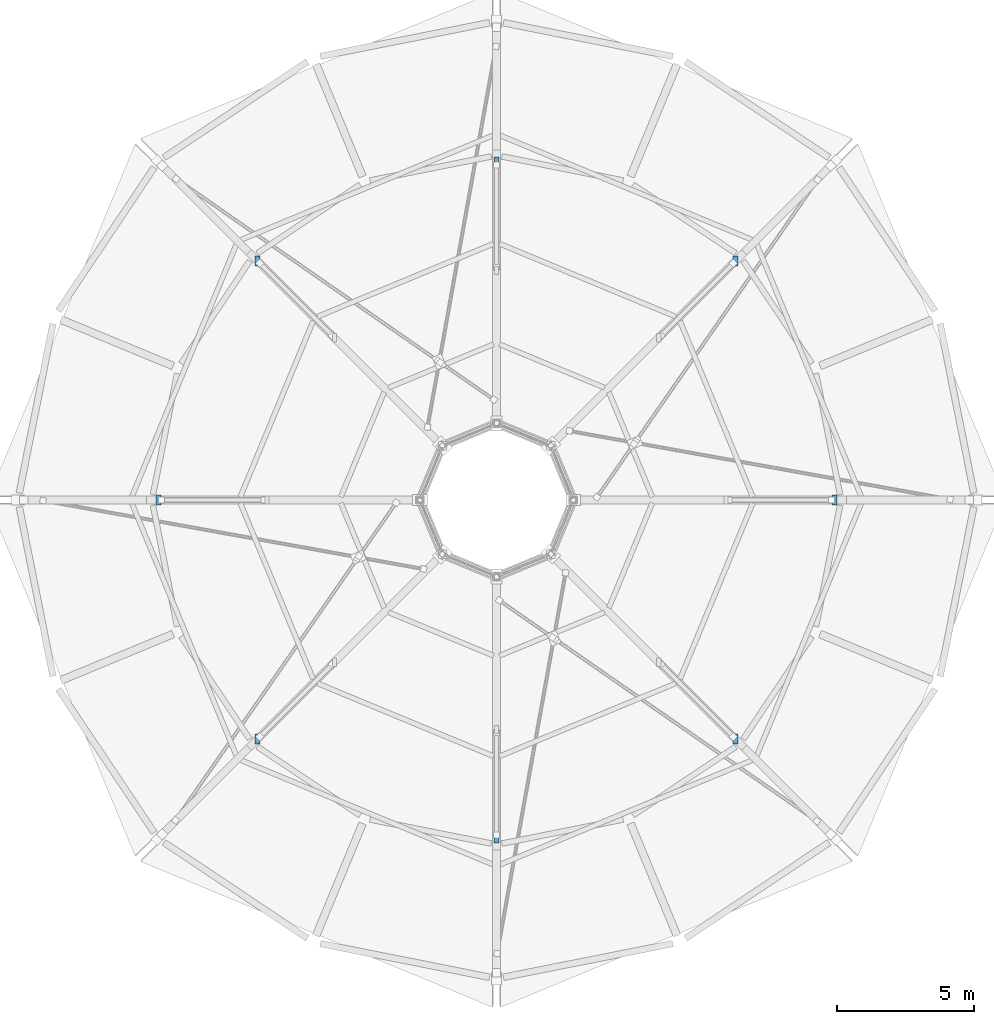
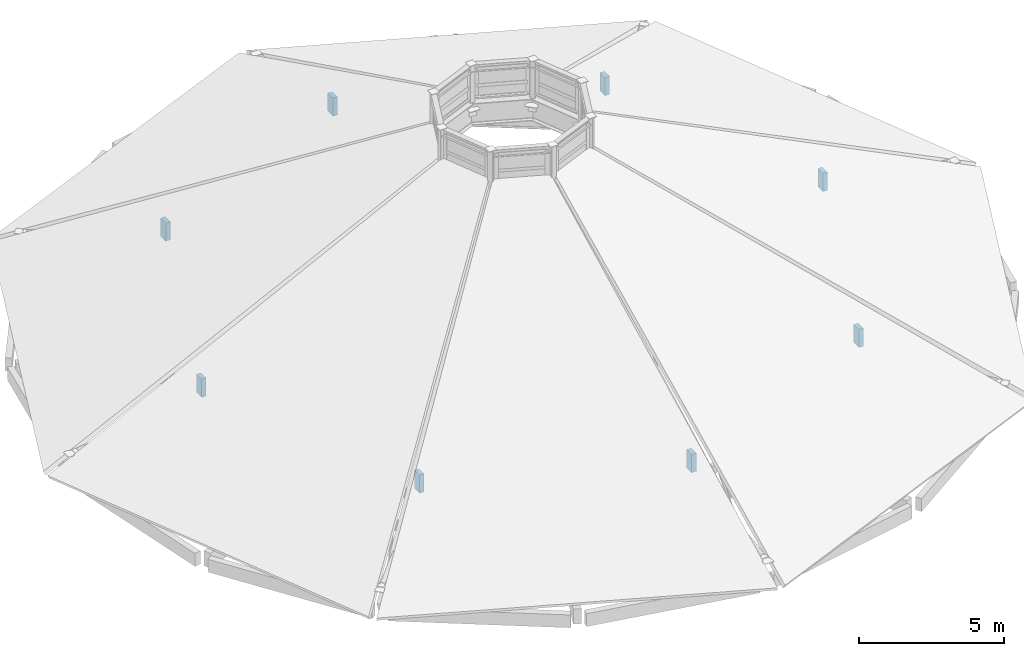
# One storey, part 40 of 66: 8 members.
"""IFC4 building model written with IfcOpenShell, lengths in metres."""

import ifcopenshell
import ifcopenshell.guid

model = None  # the IFC model being written
_history = None  # IfcOwnerHistory: only IFC2X3 demands one
_inside = {}  # id of a spatial element -> (the spatial element, [elements in it])
_under = {}  # id of a project, library or spatial element -> (it, [spatial elements below it])
_declared = {}  # id of a project -> (the project, [libraries it declares])
_typed = {}  # id of a type object -> (the type object, [elements of that type])
_made_of = {}  # id of a material, layer set ... -> (it, [elements and type objects made of it])


def new_model(schema):
    """Start an empty IFC model of exactly this schema.

    Asked for "IFC4X3", IfcOpenShell would pick the latest addendum, in which some entities
    have other attributes; the version numbers below select the first issue.
    IFC2X3 requires an IfcOwnerHistory on every rooted entity: one is made here for all.
    """
    global model, _history
    if schema == "IFC4X3":
        model = ifcopenshell.file(schema_version=(4, 3, 0, 0))
    else:
        model = ifcopenshell.file(schema=schema)
    _inside.clear()
    _under.clear()
    _declared.clear()
    _typed.clear()
    _made_of.clear()
    _history = None
    if model.schema == "IFC2X3":
        org = make("IfcOrganization", Name="unknown")
        user = make(
            "IfcPersonAndOrganization",
            ThePerson=make("IfcPerson", FamilyName="unknown"),
            TheOrganization=org,
        )
        app = make(
            "IfcApplication",
            ApplicationDeveloper=org,
            Version="unknown",
            ApplicationFullName="unknown",
            ApplicationIdentifier="unknown",
        )
        _history = make(
            "IfcOwnerHistory",
            OwningUser=user,
            OwningApplication=app,
            ChangeAction="ADDED",
            CreationDate=0,
        )
    return model


def make(cls, **values):
    """One entity of the class cls with the attributes given. An attribute that is None is left unset."""
    return model.create_entity(
        cls, **{name: value for name, value in values.items() if value is not None}
    )


def rooted(cls, **values):
    """An entity with a GlobalId (a new one), such as an element, a storey or a relation."""
    return make(cls, GlobalId=ifcopenshell.guid.new(), OwnerHistory=_history, **values)


def si_unit(unit_type, name, prefix=None):
    """IfcSIUnit, for example si_unit("LENGTHUNIT", "METRE", prefix="MILLI")."""
    return make("IfcSIUnit", UnitType=unit_type, Prefix=prefix, Name=name)


def assignment(units):
    """IfcUnitAssignment: the units of a project."""
    return None if units is None else make("IfcUnitAssignment", Units=units)


def point(xyz):
    """IfcCartesianPoint."""
    return None if xyz is None else make("IfcCartesianPoint", Coordinates=xyz)


def direction(xyz):
    """IfcDirection."""
    return None if xyz is None else make("IfcDirection", DirectionRatios=xyz)


def frame(location, z_axis=None, x_axis=None):
    """IfcAxis2Placement3D, a coordinate frame: its origin and axes. An axis left out is left unset."""
    return make(
        "IfcAxis2Placement3D",
        Location=point(location),
        Axis=direction(z_axis),
        RefDirection=direction(x_axis),
    )


def frame_2d(location, x_axis=None):
    """IfcAxis2Placement2D, a coordinate frame in the plane: its origin and x axis."""
    return make(
        "IfcAxis2Placement2D", Location=point(location), RefDirection=direction(x_axis)
    )


def origin():
    """The frame at (0, 0, 0) with its axes left unset."""
    return frame((0.0, 0.0, 0.0))


def origin_2d():
    """The frame at (0, 0) in the plane with its x axis left unset."""
    return frame_2d((0.0, 0.0))


def place(relative_to, where):
    """IfcLocalPlacement: puts the frame where relative to a parent placement (None: the world)."""
    return make(
        "IfcLocalPlacement", PlacementRelTo=relative_to, RelativePlacement=where
    )


def context(
    kind, dimensions, precision=None, world=None, true_north=None, identifier=None
):
    """IfcGeometricRepresentationContext, for example the 3D "Model" context."""
    return make(
        "IfcGeometricRepresentationContext",
        ContextIdentifier=identifier,
        ContextType=kind,
        CoordinateSpaceDimension=dimensions,
        Precision=precision,
        WorldCoordinateSystem=world,
        TrueNorth=true_north,
    )


def subcontext(parent, identifier, kind, view, scale=None):
    """IfcGeometricRepresentationSubContext, for example "Body" below "Model"."""
    return make(
        "IfcGeometricRepresentationSubContext",
        ContextIdentifier=identifier,
        ContextType=kind,
        ParentContext=parent,
        TargetScale=scale,
        TargetView=view,
    )


def project(units=None, contexts=None):
    """IfcProject with its units and contexts."""
    return rooted(
        "IfcProject",
        Name="project",
        RepresentationContexts=contexts,
        UnitsInContext=assignment(units),
    )


def spatial(cls, under=None, at=None, **own):
    """A site, building, storey or space (cls), placed at a placement, below another one or the project."""
    s = rooted(cls, ObjectPlacement=at, **own)
    if under is not None:
        _under.setdefault(under.id(), (under, []))[1].append(s)
    return s


def profile(cls, at=None, kind="AREA", **sizes):
    """A parametric profile (cls). Its sizes go by their IFC names, for example OverallWidth=200.0."""
    return make(cls, ProfileType=kind, Position=at, **sizes)


def rectangle(**sizes):
    """IfcRectangleProfileDef."""
    return profile("IfcRectangleProfileDef", **sizes)


def extrude(swept, where, along, depth):
    """IfcExtrudedAreaSolid: the profile swept, set in the frame where, extruded along a direction by depth."""
    return make(
        "IfcExtrudedAreaSolid",
        SweptArea=swept,
        Position=where,
        ExtrudedDirection=direction(along),
        Depth=depth,
    )


def shape(context_of_items, identifier, shape_type, items):
    """IfcShapeRepresentation: the items that make up one representation, for example the "Body"."""
    return make(
        "IfcShapeRepresentation",
        ContextOfItems=context_of_items,
        RepresentationIdentifier=identifier,
        RepresentationType=shape_type,
        Items=items,
    )


def material(Name=None, Category=None):
    """IfcMaterial."""
    return make("IfcMaterial", Name=Name, Category=Category)


def material_profile(
    of_material, cross_section, Name=None, Category=None, Priority=None
):
    """IfcMaterialProfile: a cross section and its material."""
    return make(
        "IfcMaterialProfile",
        Name=Name,
        Material=of_material,
        Profile=cross_section,
        Priority=Priority,
        Category=Category,
    )


def profile_set(profiles, Name=None, composite=None):
    """IfcMaterialProfileSet."""
    return make(
        "IfcMaterialProfileSet",
        Name=Name,
        MaterialProfiles=profiles,
        CompositeProfile=composite,
    )


def made_of(thing, what):
    """Note that an element or type object is made of a material, layer set ...; save() writes the relation."""
    if what is not None:
        _made_of.setdefault(what.id(), (what, []))[1].append(thing)
    return thing


def type_object(cls, material=None, **own):
    """A type object (cls), such as IfcWallType, which elements share."""
    return made_of(rooted(cls, **own), material)


def element(
    cls,
    number,
    at=None,
    inside=None,
    cuts=None,
    type_object=None,
    material=None,
    context=None,
    identifier="Body",
    shape_type=None,
    held_by="IfcProductDefinitionShape",
    body=None,
    shapes=None,
    **own,
):
    """One element of the class cls, such as IfcWall. Its Tag is "e" and its number.

    at: its placement. inside: the storey or other place that contains it. cuts: it is an
    opening in that element (IfcRelVoidsElement). A single representation is given by context,
    identifier, shape_type and body (its items); several are given by shapes. held_by: the class
    of the entity that holds the representations. save() writes the other relations.
    """
    e = rooted(cls, Tag="e%d" % number, ObjectPlacement=at, **own)
    if body is not None:
        shapes = [shape(context, identifier, shape_type, body)]
    if shapes is not None:
        e.Representation = make(held_by, Representations=shapes)
    if inside is not None:
        _inside.setdefault(inside.id(), (inside, []))[1].append(e)
    if cuts is not None:
        rooted(
            "IfcRelVoidsElement", RelatingBuildingElement=cuts, RelatedOpeningElement=e
        )
    if type_object is not None:
        _typed.setdefault(type_object.id(), (type_object, []))[1].append(e)
    return made_of(e, material)


def aggregate(whole, parts):
    """IfcRelAggregates: a whole, such as a stair, and the parts it consists of."""
    return rooted("IfcRelAggregates", RelatingObject=whole, RelatedObjects=parts)


def save(model, path):
    """Write the relations noted so far, then the file.

    IfcRelAggregates (storeys below a building ...), IfcRelContainedInSpatialStructure (elements
    in a storey), IfcRelDefinesByType, IfcRelAssociatesMaterial and IfcRelDeclares: one each for
    every whole, place, type object, material and project.
    """
    for whole, parts in _under.values():
        aggregate(whole, parts)
    for where, things in _inside.values():
        rooted(
            "IfcRelContainedInSpatialStructure",
            RelatedElements=things,
            RelatingStructure=where,
        )
    for kind, things in _typed.values():
        rooted("IfcRelDefinesByType", RelatedObjects=things, RelatingType=kind)
    for what, things in _made_of.values():
        rooted("IfcRelAssociatesMaterial", RelatedObjects=things, RelatingMaterial=what)
    for by, libraries in _declared.values():
        rooted("IfcRelDeclares", RelatingContext=by, RelatedDefinitions=libraries)
    model.write(path)


model = new_model("IFC4")

# Units and contexts
model_context = context("Model", 3, precision=1e-05, world=origin(), true_north=direction((0.0, 1.0)))
body_context = subcontext(model_context, "Body", "Model", "MODEL_VIEW")
ifc_project = project(units=[si_unit("LENGTHUNIT", "METRE"), si_unit("AREAUNIT", "SQUARE_METRE"), si_unit("VOLUMEUNIT", "CUBIC_METRE"), si_unit("PLANEANGLEUNIT", "RADIAN"), si_unit("MASSUNIT", "GRAM", prefix="KILO")], contexts=[model_context])

# Site, building, storey
site_placement = place(None, origin())
site = spatial("IfcSite", under=ifc_project, at=site_placement, CompositionType="ELEMENT")
building_placement = place(site_placement, origin())
building = spatial("IfcBuilding", under=site, at=building_placement, Name="Caldaven Crescent School", CompositionType="ELEMENT")
storey_placement = place(building_placement, frame((0.0, 0.0, 8.159912109375)))
storey = spatial("IfcBuildingStorey", under=building, at=storey_placement, Name="L02", CompositionType="ELEMENT", Elevation=8.159912109375)

# Members
ifc_material = material(Name="Glulam MLE24h (GL28h)", Category="wood")
ifc_material_profile = material_profile(ifc_material, rectangle(XDim=0.179931640625, YDim=0.360107421875, at=origin_2d()), Name="MLE 180x360")
ifc_profile_set = profile_set([ifc_material_profile], Name="Glulam MLE24h (GL28h)")
member_type = type_object("IfcMemberType", Name="ST-GL36", PredefinedType="STRUT", material=ifc_profile_set)
for number, where, z_axis, x_axis, name in (
    (1, (164.85498046875, 98.5, 1.170166015625), (0.0, 0.0, 1.0), (1.0, 0.0, 0.0), "WS-V1-00-0"),
    (2, (161.236328125, 107.236328125, 1.170166015625), (0.0, 0.0, 1.0), (1.0, 0.0, 0.0), "WS-V1-01-0"),
    (3, (152.5, 110.85498046875, 1.170166015625), (0.0, 0.0, 1.0), (1.0, 0.0, 0.0), "WS-V1-02-0"),
    (4, (143.763671875, 107.236328125, 1.170166015625), (0.0, 0.0, 1.0), (1.0, 0.0, 0.0), "WS-V1-03-0"),
    (5, (140.14501953125, 98.5, 1.170166015625), (0.0, 0.0, 1.0), (1.0, 0.0, 0.0), "WS-V1-04-0"),
    (6, (143.763671875, 89.763671875, 1.170166015625), (0.0, 0.0, 1.0), (1.0, 0.0, 0.0), "WS-V1-05-0"),
    (7, (152.5, 86.14501953125, 1.170166015625), (0.0, 0.0, 1.0), (1.0, 0.0, 0.0), "WS-V1-06-0"),
    (8, (161.236328125, 89.763671875, 1.170166015625), (0.0, 0.0, 1.0), (1.0, 0.0, 0.0), "WS-V1-07-0"),
):
    element("IfcMember", number, at=place(storey_placement, frame(where, z_axis=z_axis, x_axis=x_axis)), inside=storey, type_object=member_type, Name=name, PredefinedType="STRUT", context=body_context, shape_type="SweptSolid", body=[
        extrude(rectangle(XDim=0.179931640625, YDim=0.360107421875, at=origin_2d()), origin(), (0.0, 0.0, 1.0), 0.760009765625),
    ])

save(model, "model.ifc")
